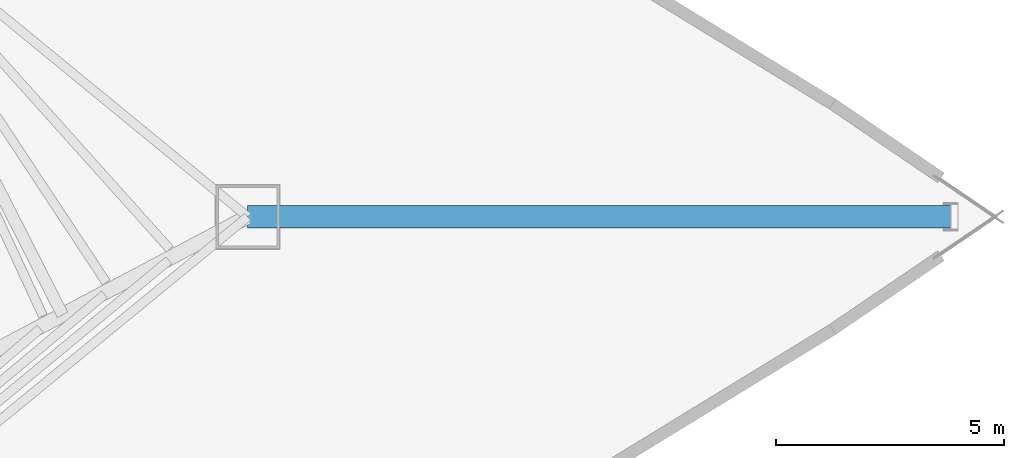
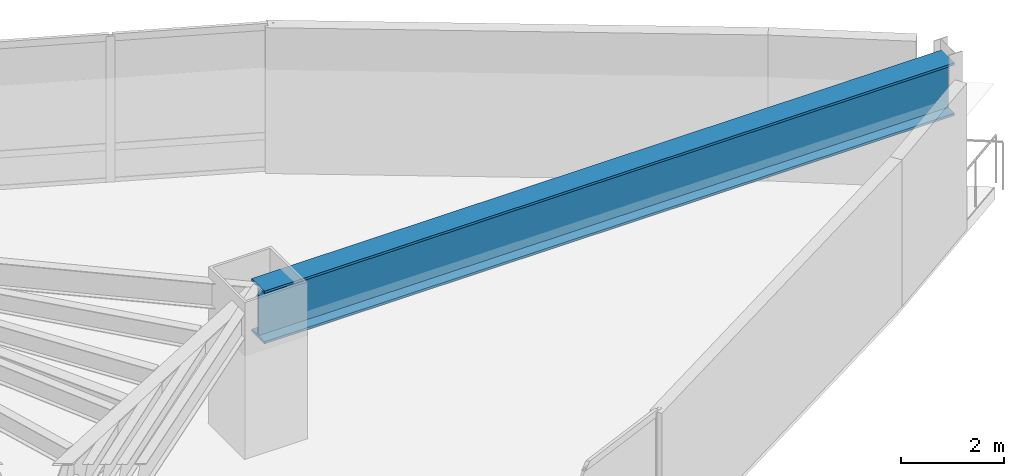
# One storey, part 12 of 20: 1 beam.
"""IFC4 building model written with IfcOpenShell, lengths in metres."""

from ifc_helpers import new_model, si_unit, direction, frame, origin, origin_2d, place, context, subcontext, project, spatial, i_section, extrude, material, material_profile, profile_set, type_object, element, save


model = new_model("IFC4")

# Units and contexts
model_context = context("Model", 3, precision=1e-05, world=origin(), true_north=direction((0.0, 1.0)))
body_context = subcontext(model_context, "Body", "Model", "MODEL_VIEW")
ifc_project = project(units=[si_unit("LENGTHUNIT", "METRE"), si_unit("AREAUNIT", "SQUARE_METRE"), si_unit("VOLUMEUNIT", "CUBIC_METRE"), si_unit("PLANEANGLEUNIT", "RADIAN"), si_unit("MASSUNIT", "GRAM", prefix="KILO")], contexts=[model_context])

# Site, building, storey
site_placement = place(None, origin())
site = spatial("IfcSite", under=ifc_project, at=site_placement, CompositionType="ELEMENT")
building_placement = place(site_placement, origin())
building = spatial("IfcBuilding", under=site, at=building_placement, Name="Menara Vayukalpa", CompositionType="ELEMENT")
storey_placement = place(building_placement, frame((0.0, 0.0, 57.360107421875)))
storey = spatial("IfcBuildingStorey", under=building, at=storey_placement, Name="L13", CompositionType="ELEMENT", Elevation=57.360107421875)

# Beam
ifc_material = material(Name="Steel S460", Category="steel")
ifc_material_profile = material_profile(ifc_material, i_section(OverallWidth=0.5, OverallDepth=1.25, WebThickness=0.028076171875, FlangeThickness=0.054931640625, at=origin_2d()), Name="WG 1250x500x28x55")
ifc_profile_set = profile_set([ifc_material_profile], Name="Steel S460")
beam_type = type_object("IfcBeamType", Name="BM-TG2", PredefinedType="BEAM", material=ifc_profile_set)
beam_placement = place(storey_placement, frame((42.46484375, 22.0, 2.844970703125), z_axis=(1.0, 0.0, 0.0), x_axis=(0.0, 1.0, 0.0)))
element("IfcBeam", 1, at=beam_placement, inside=storey, type_object=beam_type, Name="L13 SB1 Sky Bar Vierendeel Girder 01", PredefinedType="BEAM", context=body_context, shape_type="SweptSolid", body=[
    extrude(i_section(OverallWidth=0.5, OverallDepth=1.25, WebThickness=0.028076171875, FlangeThickness=0.054931640625, at=origin_2d()), origin(), (0.0, 0.0, 1.0), 15.44287109375),
])

save(model, "model.ifc")
